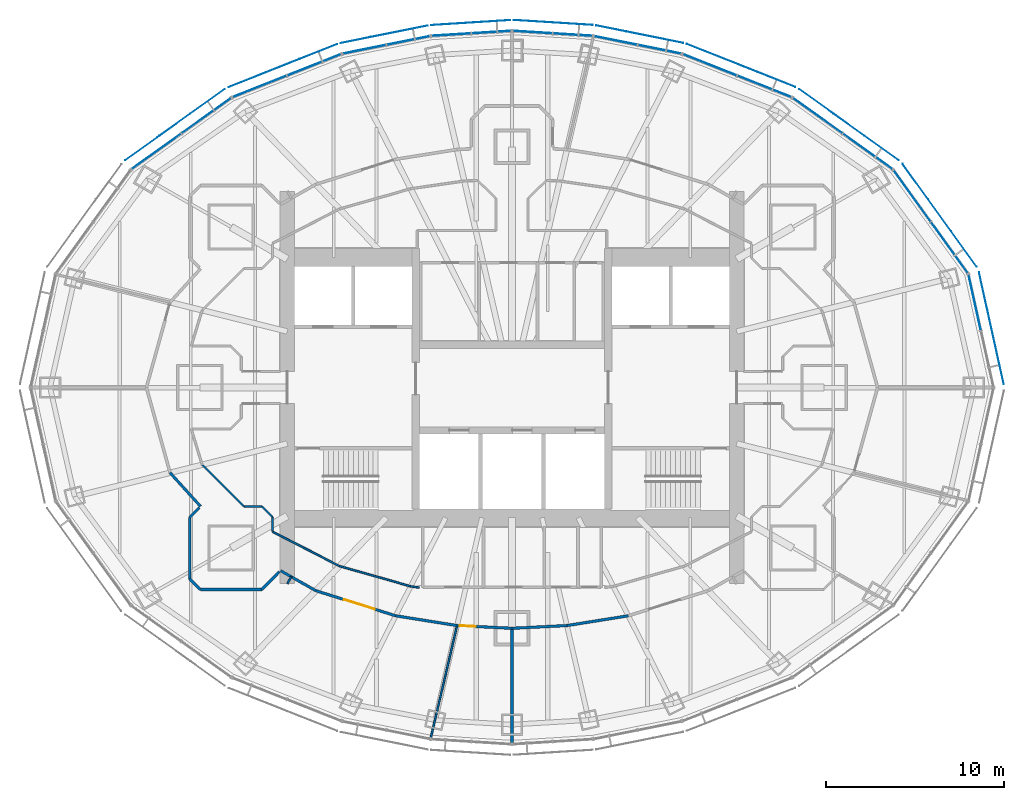
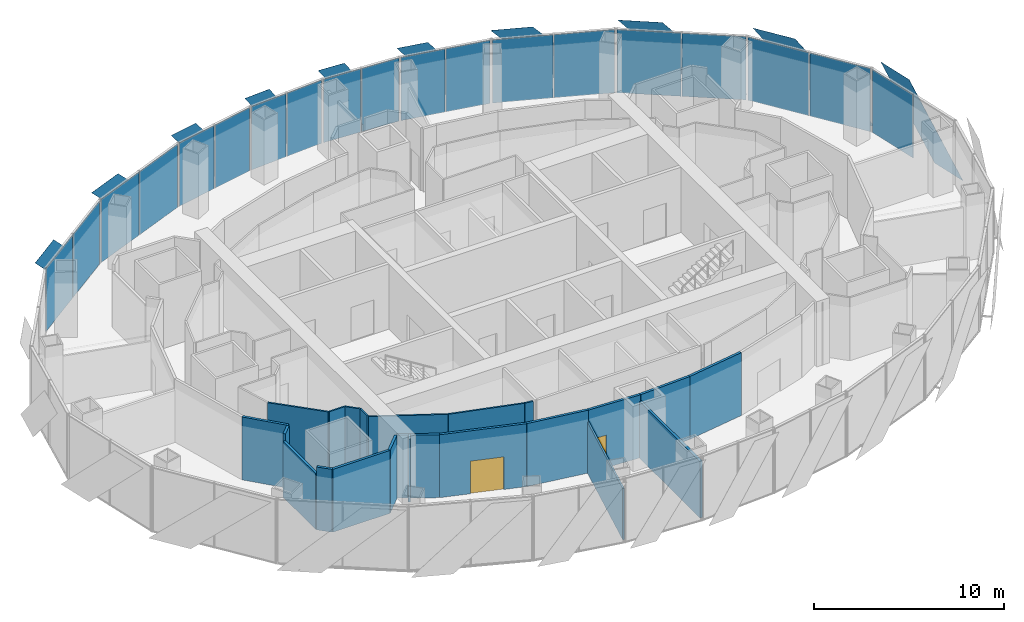
# One storey, part 11 of 18: 29 plates, 22 walls, 2 doors, 2 openings, 10 elements without a shape of their own.
"""IFC4 building model written with IfcOpenShell, lengths in metres."""

from ifc_helpers import new_model, si_unit, direction, frame, frame_2d, origin, origin_2d, place, context, subcontext, project, spatial, polyline, rectangle, outline, extrude, material, layer, layer_set, type_object, element, fill, aggregate, save


model = new_model("IFC4")

# Units and contexts
model_context = context("Model", 3, precision=1e-05, world=origin(), true_north=direction((0.0, 1.0)))
body_context = subcontext(model_context, "Body", "Model", "MODEL_VIEW")
ifc_project = project(units=[si_unit("LENGTHUNIT", "METRE"), si_unit("AREAUNIT", "SQUARE_METRE"), si_unit("VOLUMEUNIT", "CUBIC_METRE"), si_unit("PLANEANGLEUNIT", "RADIAN"), si_unit("MASSUNIT", "GRAM", prefix="KILO")], contexts=[model_context])

# Site, building, storey
site_placement = place(None, origin())
site = spatial("IfcSite", under=ifc_project, at=site_placement, CompositionType="ELEMENT")
building_placement = place(site_placement, origin())
building = spatial("IfcBuilding", under=site, at=building_placement, Name="Lantaw Convention Tower", CompositionType="ELEMENT")
storey_placement = place(building_placement, frame((0.0, 0.0, 257.800048828125)))
storey = spatial("IfcBuildingStorey", under=building, at=storey_placement, Name="L60", CompositionType="ELEMENT", Elevation=257.800048828125)

# Curtain wall, plate
ifc_material_1 = material(Name="Aluminium framed curtain wall", Category="aluminium")
curtain_wall_type = type_object("IfcCurtainWallType", Name="Office curtain wall high rise, pale aluminium", PredefinedType="USERDEFINED", material=ifc_material_1)
curtain_wall_1_placement = place(storey_placement, origin())
curtain_wall_1 = element("IfcCurtainWall", 1, at=curtain_wall_1_placement, inside=storey, type_object=curtain_wall_type, Name="Office curtain wall high rise, pale aluminium L60", ObjectType="UNITISED CURTAIN WALL", PredefinedType="USERDEFINED")
ifc_material_2 = material(Name="Clear insulating glass", Category="glass")
ifc_layer_1 = layer(ifc_material_2, 0.028076171875)
ifc_layer_set_1 = layer_set([ifc_layer_1], Name="CW-O2 panel 28")
plate_type_1 = type_object("IfcPlateType", Name="CW-O2 panel 28", PredefinedType="CURTAIN_PANEL", material=ifc_layer_set_1)
plate_1_placement = place(storey_placement, frame((25.945556640625, 4.769287109375, -0.0849609375), z_axis=(0.0, 0.0, 1.0), x_axis=(-0.215891333626, 0.976417396437, 0.0)))
plate_1 = element("IfcPlate", 2, at=plate_1_placement, type_object=plate_type_1, Name="CW-O2 panel 2.1", PredefinedType="CURTAIN_PANEL", context=body_context, shape_type="SweptSolid", body=[
    extrude(rectangle(XDim=3.169677734375, YDim=0.028076171875, at=origin_2d()), origin(), (0.0, 0.0, 1.0), 4.070068359375),
])
aggregate(curtain_wall_1, [plate_1])

# Curtain wall, plates
curtain_wall_2_placement = place(storey_placement, origin())
curtain_wall_2 = element("IfcCurtainWall", 3, at=curtain_wall_2_placement, inside=storey, type_object=curtain_wall_type, Name="Office curtain wall high rise, pale aluminium L60", ObjectType="UNITISED CURTAIN WALL", PredefinedType="USERDEFINED")
plate_2_placement = place(storey_placement, frame((24.527099609375, 7.852294921875, -0.0849609375), z_axis=(0.0, 0.0, 1.0), x_axis=(-0.585157643865, 0.810919559405, 0.0)))
plate_2 = element("IfcPlate", 4, at=plate_2_placement, type_object=plate_type_1, Name="CW-O2 panel 1.1", PredefinedType="CURTAIN_PANEL", context=body_context, shape_type="SweptSolid", body=[
    extrude(rectangle(XDim=3.500732421875, YDim=0.028076171875, at=origin_2d()), origin(), (0.0, 0.0, 1.0), 4.070068359375),
])
plate_3_placement = place(storey_placement, frame((22.4404296875, 10.743896484375, -0.0849609375), z_axis=(0.0, 0.0, 1.0), x_axis=(-0.585157643865, 0.810919559405, 0.0)))
plate_3 = element("IfcPlate", 5, at=plate_3_placement, type_object=plate_type_1, Name="CW-O2 panel 2.1", PredefinedType="CURTAIN_PANEL", context=body_context, shape_type="SweptSolid", body=[
    extrude(rectangle(XDim=3.500732421875, YDim=0.028076171875, at=origin_2d()), origin(), (0.0, 0.0, 1.0), 4.070068359375),
])
aggregate(curtain_wall_2, [plate_2, plate_3])

curtain_wall_3_placement = place(storey_placement, origin())
curtain_wall_3 = element("IfcCurtainWall", 6, at=curtain_wall_3_placement, inside=storey, type_object=curtain_wall_type, Name="Office curtain wall high rise, pale aluminium L60", ObjectType="UNITISED CURTAIN WALL", PredefinedType="USERDEFINED")
plate_4_placement = place(storey_placement, frame((19.947509765625, 13.23828125, -0.0849609375), z_axis=(0.0, 0.0, 1.0), x_axis=(-0.813672540482, 0.581323487281, 0.0)))
plate_4 = element("IfcPlate", 7, at=plate_4_placement, type_object=plate_type_1, Name="CW-O2 panel 1.1", PredefinedType="CURTAIN_PANEL", context=body_context, shape_type="SweptSolid", body=[
    extrude(rectangle(XDim=3.386474609375, YDim=0.028076171875, at=origin_2d()), origin(), (0.0, 0.0, 1.0), 4.070068359375),
])
plate_5_placement = place(storey_placement, frame((17.13916015625, 15.24462890625, -0.0849609375), z_axis=(0.0, 0.0, 1.0), x_axis=(-0.813672540482, 0.581323487281, 0.0)))
plate_5 = element("IfcPlate", 8, at=plate_5_placement, type_object=plate_type_1, Name="CW-O2 panel 2.1", PredefinedType="CURTAIN_PANEL", context=body_context, shape_type="SweptSolid", body=[
    extrude(rectangle(XDim=3.386474609375, YDim=0.028076171875, at=origin_2d()), origin(), (0.0, 0.0, 1.0), 4.070068359375),
])
aggregate(curtain_wall_3, [plate_4, plate_5])

curtain_wall_4_placement = place(storey_placement, origin())
curtain_wall_4 = element("IfcCurtainWall", 9, at=curtain_wall_4_placement, inside=storey, type_object=curtain_wall_type, Name="Office curtain wall high rise, pale aluminium L60", ObjectType="UNITISED CURTAIN WALL", PredefinedType="USERDEFINED")
plate_6_placement = place(storey_placement, frame((14.14990234375, 16.8837890625, -0.0849609375), z_axis=(0.0, 0.0, 1.0), x_axis=(-0.929761533743, 0.368162315252, 0.0)))
plate_6 = element("IfcPlate", 10, at=plate_6_placement, type_object=plate_type_1, Name="CW-O2 panel 1.1", PredefinedType="CURTAIN_PANEL", context=body_context, shape_type="SweptSolid", body=[
    extrude(rectangle(XDim=3.222900390625, YDim=0.028076171875, at=origin_2d()), origin(), (0.0, 0.0, 1.0), 4.070068359375),
])
plate_7_placement = place(storey_placement, frame((11.0927734375, 18.094482421875, -0.0849609375), z_axis=(0.0, 0.0, 1.0), x_axis=(-0.929761533743, 0.368162315252, 0.0)))
plate_7 = element("IfcPlate", 11, at=plate_7_placement, type_object=plate_type_1, Name="CW-O2 panel 2.1", PredefinedType="CURTAIN_PANEL", context=body_context, shape_type="SweptSolid", body=[
    extrude(rectangle(XDim=3.222900390625, YDim=0.028076171875, at=origin_2d()), origin(), (0.0, 0.0, 1.0), 4.070068359375),
])
aggregate(curtain_wall_4, [plate_6, plate_7])

curtain_wall_5_placement = place(storey_placement, origin())
curtain_wall_5 = element("IfcCurtainWall", 12, at=curtain_wall_5_placement, inside=storey, type_object=curtain_wall_type, Name="Office curtain wall high rise, pale aluminium L60", ObjectType="UNITISED CURTAIN WALL", PredefinedType="USERDEFINED")
plate_8_placement = place(storey_placement, frame((8.2724609375, 18.96533203125, -0.0849609375), z_axis=(0.0, 0.0, 1.0), x_axis=(-0.980366679695, 0.197183095987, 0.0)))
plate_8 = element("IfcPlate", 13, at=plate_8_placement, type_object=plate_type_1, Name="CW-O2 panel 1.1", PredefinedType="CURTAIN_PANEL", context=body_context, shape_type="SweptSolid", body=[
    extrude(rectangle(XDim=2.44384765625, YDim=0.028076171875, at=origin_2d()), origin(), (0.0, 0.0, 1.0), 4.070068359375),
])
plate_9_placement = place(storey_placement, frame((5.81298828125, 19.4599609375, -0.0849609375), z_axis=(0.0, 0.0, 1.0), x_axis=(-0.980366679695, 0.197183095987, 0.0)))
plate_9 = element("IfcPlate", 14, at=plate_9_placement, type_object=plate_type_1, Name="CW-O2 panel 2.1", PredefinedType="CURTAIN_PANEL", context=body_context, shape_type="SweptSolid", body=[
    extrude(rectangle(XDim=2.44384765625, YDim=0.028076171875, at=origin_2d()), origin(), (0.0, 0.0, 1.0), 4.070068359375),
])
aggregate(curtain_wall_5, [plate_8, plate_9])

curtain_wall_6_placement = place(storey_placement, origin())
curtain_wall_6 = element("IfcCurtainWall", 15, at=curtain_wall_6_placement, inside=storey, type_object=curtain_wall_type, Name="Office curtain wall high rise, pale aluminium L60", ObjectType="UNITISED CURTAIN WALL", PredefinedType="USERDEFINED")
plate_10_placement = place(storey_placement, frame((3.397216796875, 19.786376953125, -0.0849609375), z_axis=(0.0, 0.0, 1.0), x_axis=(-0.998028774865, 0.062757983884, 0.0)))
plate_10 = element("IfcPlate", 16, at=plate_10_placement, type_object=plate_type_1, Name="CW-O2 panel 1.1", PredefinedType="CURTAIN_PANEL", context=body_context, shape_type="SweptSolid", body=[
    extrude(rectangle(XDim=2.1826171875, YDim=0.028076171875, at=origin_2d()), origin(), (0.0, 0.0, 1.0), 4.070068359375),
])
plate_11_placement = place(storey_placement, frame((1.154052734375, 19.927490234375, -0.0849609375), z_axis=(0.0, 0.0, 1.0), x_axis=(-0.998028774865, 0.062757983884, 0.0)))
plate_11 = element("IfcPlate", 17, at=plate_11_placement, type_object=plate_type_1, Name="CW-O2 panel 2.1", PredefinedType="CURTAIN_PANEL", context=body_context, shape_type="SweptSolid", body=[
    extrude(rectangle(XDim=2.1826171875, YDim=0.028076171875, at=origin_2d()), origin(), (0.0, 0.0, 1.0), 4.070068359375),
])
aggregate(curtain_wall_6, [plate_10, plate_11])

curtain_wall_7_placement = place(storey_placement, origin())
curtain_wall_7 = element("IfcCurtainWall", 18, at=curtain_wall_7_placement, inside=storey, type_object=curtain_wall_type, Name="Office curtain wall high rise, pale aluminium L60", ObjectType="UNITISED CURTAIN WALL", PredefinedType="USERDEFINED")
plate_12_placement = place(storey_placement, frame((-1.154052734375, 19.927490234375, -0.0849609375), z_axis=(0.0, 0.0, 1.0), x_axis=(-0.998028774865, -0.062757983884, 0.0)))
plate_12 = element("IfcPlate", 19, at=plate_12_placement, type_object=plate_type_1, Name="CW-O2 panel 1.1", PredefinedType="CURTAIN_PANEL", context=body_context, shape_type="SweptSolid", body=[
    extrude(rectangle(XDim=2.1826171875, YDim=0.028076171875, at=origin_2d()), origin(), (0.0, 0.0, 1.0), 4.070068359375),
])
plate_13_placement = place(storey_placement, frame((-3.397216796875, 19.786376953125, -0.0849609375), z_axis=(0.0, 0.0, 1.0), x_axis=(-0.998028774865, -0.062757983884, 0.0)))
plate_13 = element("IfcPlate", 20, at=plate_13_placement, type_object=plate_type_1, Name="CW-O2 panel 2.1", PredefinedType="CURTAIN_PANEL", context=body_context, shape_type="SweptSolid", body=[
    extrude(rectangle(XDim=2.1826171875, YDim=0.028076171875, at=origin_2d()), origin(), (0.0, 0.0, 1.0), 4.070068359375),
])
aggregate(curtain_wall_7, [plate_12, plate_13])

curtain_wall_8_placement = place(storey_placement, origin())
curtain_wall_8 = element("IfcCurtainWall", 21, at=curtain_wall_8_placement, inside=storey, type_object=curtain_wall_type, Name="Office curtain wall high rise, pale aluminium L60", ObjectType="UNITISED CURTAIN WALL", PredefinedType="USERDEFINED")
plate_14_placement = place(storey_placement, frame((-5.81298828125, 19.4599609375, -0.0849609375), z_axis=(0.0, 0.0, 1.0), x_axis=(-0.980366679695, -0.197183095987, 0.0)))
plate_14 = element("IfcPlate", 22, at=plate_14_placement, type_object=plate_type_1, Name="CW-O2 panel 1.1", PredefinedType="CURTAIN_PANEL", context=body_context, shape_type="SweptSolid", body=[
    extrude(rectangle(XDim=2.44384765625, YDim=0.028076171875, at=origin_2d()), origin(), (0.0, 0.0, 1.0), 4.070068359375),
])
plate_15_placement = place(storey_placement, frame((-8.2724609375, 18.96533203125, -0.0849609375), z_axis=(0.0, 0.0, 1.0), x_axis=(-0.980366679695, -0.197183095987, 0.0)))
plate_15 = element("IfcPlate", 23, at=plate_15_placement, type_object=plate_type_1, Name="CW-O2 panel 2.1", PredefinedType="CURTAIN_PANEL", context=body_context, shape_type="SweptSolid", body=[
    extrude(rectangle(XDim=2.44384765625, YDim=0.028076171875, at=origin_2d()), origin(), (0.0, 0.0, 1.0), 4.070068359375),
])
aggregate(curtain_wall_8, [plate_14, plate_15])

curtain_wall_9_placement = place(storey_placement, origin())
curtain_wall_9 = element("IfcCurtainWall", 24, at=curtain_wall_9_placement, inside=storey, type_object=curtain_wall_type, Name="Office curtain wall high rise, pale aluminium L60", ObjectType="UNITISED CURTAIN WALL", PredefinedType="USERDEFINED")
plate_16_placement = place(storey_placement, frame((-11.0927734375, 18.094482421875, -0.0849609375), z_axis=(0.0, 0.0, 1.0), x_axis=(-0.929761533743, -0.368162315252, 0.0)))
plate_16 = element("IfcPlate", 25, at=plate_16_placement, type_object=plate_type_1, Name="CW-O2 panel 1.1", PredefinedType="CURTAIN_PANEL", context=body_context, shape_type="SweptSolid", body=[
    extrude(rectangle(XDim=3.222900390625, YDim=0.028076171875, at=origin_2d()), origin(), (0.0, 0.0, 1.0), 4.070068359375),
])
plate_17_placement = place(storey_placement, frame((-14.14990234375, 16.8837890625, -0.0849609375), z_axis=(0.0, 0.0, 1.0), x_axis=(-0.929761533743, -0.368162315252, 0.0)))
plate_17 = element("IfcPlate", 26, at=plate_17_placement, type_object=plate_type_1, Name="CW-O2 panel 2.1", PredefinedType="CURTAIN_PANEL", context=body_context, shape_type="SweptSolid", body=[
    extrude(rectangle(XDim=3.222900390625, YDim=0.028076171875, at=origin_2d()), origin(), (0.0, 0.0, 1.0), 4.070068359375),
])
aggregate(curtain_wall_9, [plate_16, plate_17])

curtain_wall_10_placement = place(storey_placement, origin())
curtain_wall_10 = element("IfcCurtainWall", 27, at=curtain_wall_10_placement, inside=storey, type_object=curtain_wall_type, Name="Office curtain wall high rise, pale aluminium L60", ObjectType="UNITISED CURTAIN WALL", PredefinedType="USERDEFINED")
plate_18_placement = place(storey_placement, frame((-17.13916015625, 15.24462890625, -0.0849609375), z_axis=(0.0, 0.0, 1.0), x_axis=(-0.813672540482, -0.581323487281, 0.0)))
plate_18 = element("IfcPlate", 28, at=plate_18_placement, type_object=plate_type_1, Name="CW-O2 panel 1.1", PredefinedType="CURTAIN_PANEL", context=body_context, shape_type="SweptSolid", body=[
    extrude(rectangle(XDim=3.386474609375, YDim=0.028076171875, at=origin_2d()), origin(), (0.0, 0.0, 1.0), 4.070068359375),
])
plate_19_placement = place(storey_placement, frame((-19.947509765625, 13.23828125, -0.0849609375), z_axis=(0.0, 0.0, 1.0), x_axis=(-0.813672540482, -0.581323487281, 0.0)))
plate_19 = element("IfcPlate", 29, at=plate_19_placement, type_object=plate_type_1, Name="CW-O2 panel 2.1", PredefinedType="CURTAIN_PANEL", context=body_context, shape_type="SweptSolid", body=[
    extrude(rectangle(XDim=3.386474609375, YDim=0.028076171875, at=origin_2d()), origin(), (0.0, 0.0, 1.0), 4.070068359375),
])
aggregate(curtain_wall_10, [plate_18, plate_19])

# Plates
ifc_material_3 = material(Name="Perforated aluminium sheet, pale silver finish", Category="aluminium")
ifc_layer_2 = layer(ifc_material_3, 0.006103515625)
ifc_layer_set_2 = layer_set([ifc_layer_2], Name="Perforated aluminium solar SCREEN panel")
plate_type_2 = type_object("IfcPlateType", Name="Perforated aluminium solar SCREEN panel", PredefinedType="SHEET", material=ifc_layer_set_2)
plate_20_placement = place(storey_placement, frame((27.580810546875, 0.1796875, -0.175048828125), z_axis=(0.976429511424, 0.215836529031, 4.4219438e-05), x_axis=(-0.215836529242, 0.976429512379, 0.0)))
element("IfcPlate", 30, at=plate_20_placement, inside=storey, type_object=plate_type_2, Name="Solar SCREEN panel", PredefinedType="SHEET", context=body_context, shape_type="SweptSolid", body=[
    extrude(outline(polyline([(0.0, 0.0), (2.2215525295212517, -3.3881317890172014e-21), (6.4341686174090675, 4.340087894868215), (4.212616087887817, 4.340087894868215), (0.0, 0.0)])), origin(), (0.0, 0.0, -1.0), 0.006103515625),
])
plate_21_placement = place(storey_placement, frame((26.051513671875, 6.775390625, -0.175048828125), z_axis=(-0.810892289695, -0.585195432394, 2.0458414e-05), x_axis=(-0.585195432516, 0.810892289865, 0.0)))
element("IfcPlate", 31, at=plate_21_placement, inside=storey, type_object=plate_type_2, Name="Solar SCREEN panel", PredefinedType="SHEET", context=body_context, shape_type="SweptSolid", body=[
    extrude(outline(polyline([(0.0, 0.0), (2.446848840683286, 6.776263578034403e-21), (7.09661046667572, -4.340087891533265), (4.649761625992435, -4.340087891533265), (0.0, 0.0)])), origin(), (0.0, 0.0, -1.0), 0.006103515625),
])
plate_22_placement = place(storey_placement, frame((21.689697265625, 12.73828125, -0.175048828125), z_axis=(0.581330799771, 0.813667316006, 1.0072414e-05), x_axis=(-0.813667316047, 0.5813307998, 3.02e-10)))
element("IfcPlate", 32, at=plate_22_placement, inside=storey, type_object=plate_type_2, Name="Solar SCREEN panel", PredefinedType="SHEET", context=body_context, shape_type="SweptSolid", body=[
    extrude(outline(polyline([(0.0, 0.0), (2.3691416428668504, 0.0), (6.867806096558412, 4.34008788877314), (4.498863102938644, 4.340087890202622), (0.0, 0.0)])), origin(), (0.0, 0.0, -1.0), 0.006103515625),
])
plate_23_placement = place(storey_placement, frame((15.88525390625, 16.8486328125, -0.175048828125), z_axis=(-0.368116612072, -0.929779629081, 3.5533269e-05), x_axis=(-0.929779629668, 0.368116612304, -1.786e-09)))
element("IfcPlate", 33, at=plate_23_placement, inside=storey, type_object=plate_type_2, Name="Solar SCREEN panel", PredefinedType="SHEET", context=body_context, shape_type="SweptSolid", body=[
    extrude(outline(polyline([(0.0, 0.0), (2.2578720663572183, -3.3881317890172014e-21), (6.540904465438181, -4.340087905048178), (4.282942526861161, -4.340087896982072), (0.0, 0.0)])), origin(), (0.0, 0.0, -1.0), 0.006103515625),
])
plate_24_placement = place(storey_placement, frame((9.6044921875, 19.315673828125, -0.175048828125), z_axis=(-0.197162069853, -0.980370908428, 1.0904083e-05), x_axis=(-0.980370908486, 0.197162069865, -7.55e-10)))
element("IfcPlate", 34, at=plate_24_placement, inside=storey, type_object=plate_type_2, Name="Solar SCREEN panel", PredefinedType="SHEET", context=body_context, shape_type="SweptSolid", body=[
    extrude(outline(polyline([(0.0, 0.0), (1.7279870169553606, 8.470329472543003e-22), (4.982578440602753, -4.340087894645749), (3.2545432883764285, -4.340087892035838), (0.0, 0.0)])), origin(), (0.0, 0.0, -1.0), 0.006103515625),
])
plate_25_placement = place(storey_placement, frame((4.539306640625, 20.32177734375, -0.175048828125), z_axis=(-0.062672387577, -0.998034151922, 5.858668e-05), x_axis=(-0.998034153635, 0.062672387685, 0.0)))
element("IfcPlate", 35, at=plate_25_placement, inside=storey, type_object=plate_type_2, Name="Solar SCREEN panel", PredefinedType="SHEET", context=body_context, shape_type="SweptSolid", body=[
    extrude(outline(polyline([(0.0, 0.0), (1.5504111513762302, 8.470329472543003e-22), (4.460200019412434, -4.340087898073457), (2.9097888680362036, -4.340087898073457), (0.0, 0.0)])), origin(), (0.0, 0.0, -1.0), 0.006103515625),
])
plate_26_placement = place(storey_placement, frame((-0.087890625, 20.6015625, -0.175048828125), z_axis=(-0.062672387577, 0.998034151922, 5.858668e-05), x_axis=(-0.998034153635, -0.062672387685, 0.0)))
element("IfcPlate", 36, at=plate_26_placement, inside=storey, type_object=plate_type_2, Name="Solar SCREEN panel", PredefinedType="SHEET", context=body_context, shape_type="SweptSolid", body=[
    extrude(outline(polyline([(0.0, 0.0), (1.5504111513762302, -8.470329472543003e-22), (4.460200019412434, 4.340087898073457), (2.9097888680362036, 4.340087898073457), (0.0, 0.0)])), origin(), (0.0, 0.0, -1.0), 0.006103515625),
])
plate_27_placement = place(storey_placement, frame((-4.7197265625, 20.298095703125, -0.175048828125), z_axis=(-0.197162069853, 0.980370908428, 1.0904083e-05), x_axis=(-0.980370908486, -0.197162069865, 7.55e-10)))
element("IfcPlate", 37, at=plate_27_placement, inside=storey, type_object=plate_type_2, Name="Solar SCREEN panel", PredefinedType="SHEET", context=body_context, shape_type="SweptSolid", body=[
    extrude(outline(polyline([(0.0, 0.0), (1.7280351522263238, 4.235164736271502e-22), (4.982578447157737, 4.34008788712039), (3.2545914302023755, 4.340087889730228), (0.0, 0.0)])), origin(), (0.0, 0.0, -1.0), 0.006103515625),
])
plate_28_placement = place(storey_placement, frame((-9.8037109375, 19.256591796875, -0.175048828125), z_axis=(-0.368116612072, 0.929779629081, 3.5533269e-05), x_axis=(-0.929779629668, -0.368116612304, 1.786e-09)))
element("IfcPlate", 38, at=plate_28_placement, inside=storey, type_object=plate_type_2, Name="Solar SCREEN panel", PredefinedType="SHEET", context=body_context, shape_type="SweptSolid", body=[
    extrude(outline(polyline([(0.0, 0.0), (2.257961938577019, 0.0), (6.540904480942253, 4.34008788168214), (4.283032414585035, 4.340087889747925), (0.0, 0.0)])), origin(), (0.0, 0.0, -1.0), 0.006103515625),
])
plate_29_placement = place(storey_placement, frame((-16.1015625, 16.730712890625, -0.175048828125), z_axis=(0.581330799771, -0.813667316006, 1.0072414e-05), x_axis=(-0.813667316047, -0.5813307998, -3.02e-10)))
element("IfcPlate", 39, at=plate_29_placement, inside=storey, type_object=plate_type_2, Name="Solar SCREEN panel", PredefinedType="SHEET", context=body_context, shape_type="SweptSolid", body=[
    extrude(outline(polyline([(0.0, 0.0), (2.3689429936197683, -1.6940658945086007e-21), (6.867806093939489, -4.340087892917353), (4.498664451072639, -4.340087891487751), (0.0, 0.0)])), origin(), (0.0, 0.0, -1.0), 0.006103515625),
])

# Wall, opening, door
ifc_material_4 = material(Name="Gypsum board on steel studs, fire rated", Category="steel")
ifc_layer_3 = layer(ifc_material_4, 0.14990234375)
ifc_layer_set_3 = layer_set([ifc_layer_3], Name="Corridor wall 150 EI 60")
wall_type_1 = type_object("IfcWallType", Name="Corridor wall 150 EI 60", PredefinedType="PARTITIONING", material=ifc_layer_set_3)
wall_1_placement = place(storey_placement, frame((-11.000732421875, -11.3916015625, 0.0), z_axis=(0.0, 0.0, 1.0), x_axis=(0.954031103669, -0.299707612903, 0.0)))
wall_1 = element("IfcWall", 40, at=wall_1_placement, inside=storey, type_object=wall_type_1, Name="Corridor wall 150", PredefinedType="PARTITIONING", context=body_context, shape_type="SweptSolid", body=[
    extrude(rectangle(XDim=4.6953125, YDim=0.14990234375, at=frame_2d((2.34765625, 0.0))), origin(), (0.0, 0.0, 1.0), 4.050048828125),
])
opening_1_placement = place(wall_1_placement, frame((1.663818359375, 0.0, 0.0)))
opening_1 = element("IfcOpeningElement", 41, at=opening_1_placement, cuts=wall_1, Name="Opening L60.30", PredefinedType="OPENING", context=body_context, shape_type="SweptSolid", body=[
    extrude(rectangle(XDim=1.800048828125, YDim=2.10009765625, at=frame_2d((0.89990234375, 1.050048828125))), frame((0.0, 0.0849609375, 0.0), z_axis=(0.0, -1.0, 0.0), x_axis=(1.0, 0.0, 0.0)), (0.0, 0.0, 1.0), 0.169921875),
])
ifc_material_5 = material(Name="Steel, fire rated", Category="steel")
door_type_1 = type_object("IfcDoorType", Name="Office double door 1800 FD30", OperationType="DOUBLE_DOOR_DOUBLE_SWING", PredefinedType="DOOR", material=ifc_material_5)
door_1_placement = place(opening_1_placement, origin())
door_1 = element("IfcDoor", 42, at=door_1_placement, inside=storey, type_object=door_type_1, Name="Tenant suite door", OperationType="DOUBLE_DOOR_DOUBLE_SWING", OverallHeight=2.10009765625, OverallWidth=1.800048828125, PredefinedType="DOOR", context=body_context, shape_type="SweptSolid", body=[
    extrude(rectangle(XDim=1.800048828125, YDim=2.10009765625, at=frame_2d((0.89990234375, 1.050048828125))), frame((0.0, 0.02490234375, 0.0), z_axis=(0.0, -1.0, 0.0), x_axis=(1.0, 0.0, 0.0)), (0.0, 0.0, 1.0), 0.050048828125),
])
fill(opening_1, door_1)

# Wall
wall_2_placement = place(storey_placement, frame((-6.521240234375, -12.798828125, 0.0), z_axis=(0.0, 0.0, 1.0), x_axis=(0.987554093087, -0.157279729233, 0.0)))
element("IfcWall", 43, at=wall_2_placement, inside=storey, type_object=wall_type_1, Name="Corridor wall 150", PredefinedType="PARTITIONING", context=body_context, shape_type="SweptSolid", body=[
    extrude(rectangle(XDim=3.4833984375, YDim=0.14990234375, at=frame_2d((1.74169921875, 0.0))), origin(), (0.0, 0.0, 1.0), 4.050048828125),
])

# Wall, opening, door
wall_3_placement = place(storey_placement, frame((-3.081298828125, -13.3466796875, 0.0), z_axis=(0.0, 0.0, 1.0), x_axis=(0.99876434787, -0.049696855278, 0.0)))
wall_3 = element("IfcWall", 44, at=wall_3_placement, inside=storey, type_object=wall_type_1, Name="Corridor wall 150", PredefinedType="PARTITIONING", context=body_context, shape_type="SweptSolid", body=[
    extrude(rectangle(XDim=3.085205078125, YDim=0.14990234375, at=frame_2d((1.54248046875, 0.0))), origin(), (0.0, 0.0, 1.0), 4.050048828125),
])
opening_2_placement = place(wall_3_placement, frame((0.14990234375, 0.0, 0.0)))
opening_2 = element("IfcOpeningElement", 45, at=opening_2_placement, cuts=wall_3, Name="Opening L60.31", PredefinedType="OPENING", context=body_context, shape_type="SweptSolid", body=[
    extrude(rectangle(XDim=0.89990234375, YDim=2.10009765625, at=frame_2d((0.449951171875, 1.050048828125))), frame((0.0, 0.0849609375, 0.0), z_axis=(0.0, -1.0, 0.0), x_axis=(1.0, 0.0, 0.0)), (0.0, 0.0, 1.0), 0.169921875),
])
door_type_2 = type_object("IfcDoorType", Name="Office door 900 FD30", OperationType="SINGLE_SWING_LEFT", PredefinedType="DOOR", material=ifc_material_5)
door_2_placement = place(opening_2_placement, origin())
door_2 = element("IfcDoor", 46, at=door_2_placement, inside=storey, type_object=door_type_2, Name="Meeting room door", OperationType="SINGLE_SWING_LEFT", OverallHeight=2.10009765625, OverallWidth=0.89990234375, PredefinedType="DOOR", context=body_context, shape_type="SweptSolid", body=[
    extrude(rectangle(XDim=0.89990234375, YDim=2.10009765625, at=frame_2d((0.449951171875, 1.050048828125))), frame((0.0, 0.02490234375, 0.0), z_axis=(0.0, -1.0, 0.0), x_axis=(1.0, 0.0, 0.0)), (0.0, 0.0, 1.0), 0.050048828125),
])
fill(opening_2, door_2)

# Walls
wall_4_placement = place(storey_placement, frame((0.0, -13.5, 0.0), z_axis=(0.0, 0.0, 1.0), x_axis=(0.99876434787, 0.049696855278, 0.0)))
element("IfcWall", 47, at=wall_4_placement, inside=storey, type_object=wall_type_1, Name="Corridor wall 150", PredefinedType="PARTITIONING", context=body_context, shape_type="SweptSolid", body=[
    extrude(rectangle(XDim=3.085205078125, YDim=0.14990234375, at=frame_2d((1.54248046875, 0.0))), origin(), (0.0, 0.0, 1.0), 4.050048828125),
])
wall_5_placement = place(storey_placement, frame((3.081298828125, -13.3466796875, 0.0), z_axis=(0.0, 0.0, 1.0), x_axis=(0.987554093087, 0.157279729233, 0.0)))
element("IfcWall", 48, at=wall_5_placement, inside=storey, type_object=wall_type_1, Name="Corridor wall 150", PredefinedType="PARTITIONING", context=body_context, shape_type="SweptSolid", body=[
    extrude(rectangle(XDim=3.4833984375, YDim=0.14990234375, at=frame_2d((1.74169921875, 0.0))), origin(), (0.0, 0.0, 1.0), 4.050048828125),
])
wall_6_placement = place(storey_placement, frame((-19.171875, -4.780029296875, 0.0), z_axis=(0.0, 0.0, 1.0), x_axis=(0.671721890643, -0.74080341632, 0.0)))
element("IfcWall", 49, at=wall_6_placement, inside=storey, type_object=wall_type_1, Name="Corridor wall 150", PredefinedType="PARTITIONING", context=body_context, shape_type="SweptSolid", body=[
    extrude(rectangle(XDim=2.54443359375, YDim=0.14990234375, at=frame_2d((1.272216796875, 0.0))), origin(), (0.0, 0.0, 1.0), 4.050048828125),
])
wall_7_placement = place(storey_placement, frame((-12.974609375, -10.271484375, 0.0), z_axis=(0.0, 0.0, 1.0), x_axis=(0.869722107117, -0.493541747366, 0.0)))
element("IfcWall", 50, at=wall_7_placement, inside=storey, type_object=wall_type_1, Name="Corridor wall 150", PredefinedType="PARTITIONING", context=body_context, shape_type="SweptSolid", body=[
    extrude(rectangle(XDim=2.26953125, YDim=0.14990234375, at=frame_2d((1.134765625, 0.0))), origin(), (0.0, 0.0, 1.0), 4.050048828125),
])
wall_8_placement = place(storey_placement, frame((-13.035888671875, -10.318603515625, 0.0), z_axis=(0.0, 0.0, 1.0), x_axis=(-0.701113567316, -0.713049623606, 0.0)))
element("IfcWall", 51, at=wall_8_placement, inside=storey, type_object=wall_type_1, Name="Corridor wall 150", PredefinedType="PARTITIONING", context=body_context, shape_type="SweptSolid", body=[
    extrude(rectangle(XDim=1.411376953125, YDim=0.14990234375, at=frame_2d((0.70556640625, 0.0))), origin(), (0.0, 0.0, 1.0), 4.050048828125),
])
wall_9_placement = place(storey_placement, frame((-14.025390625, -11.324951171875, 0.0), z_axis=(0.0, 0.0, 1.0), x_axis=(-1.0, 0.0, 0.0)))
element("IfcWall", 52, at=wall_9_placement, inside=storey, type_object=wall_type_1, Name="Corridor wall 150", PredefinedType="PARTITIONING", context=body_context, shape_type="SweptSolid", body=[
    extrude(rectangle(XDim=3.44921875, YDim=0.14990234375, at=frame_2d((1.724609375, 0.0))), origin(), (0.0, 0.0, 1.0), 4.050048828125),
])
wall_10_placement = place(storey_placement, frame((-17.474609375, -11.324951171875, 0.0), z_axis=(0.0, 0.0, 1.0), x_axis=(-0.707106781187, 0.707106781187, 0.0)))
element("IfcWall", 53, at=wall_10_placement, inside=storey, type_object=wall_type_1, Name="Corridor wall 150", PredefinedType="PARTITIONING", context=body_context, shape_type="SweptSolid", body=[
    extrude(rectangle(XDim=0.84912109375, YDim=0.14990234375, at=frame_2d((0.424560546875, 0.0))), origin(), (0.0, 0.0, 1.0), 4.050048828125),
])
wall_11_placement = place(storey_placement, frame((-18.074951171875, -10.724609375, 0.0), z_axis=(0.0, 0.0, 1.0), x_axis=(0.0, 1.0, 0.0)))
element("IfcWall", 54, at=wall_11_placement, inside=storey, type_object=wall_type_1, Name="Corridor wall 150", PredefinedType="PARTITIONING", context=body_context, shape_type="SweptSolid", body=[
    extrude(rectangle(XDim=3.44921875, YDim=0.14990234375, at=frame_2d((1.724609375, 0.0))), origin(), (0.0, 0.0, 1.0), 3.600341796875),
])
wall_12_placement = place(storey_placement, frame((-18.074951171875, -7.275390625, 0.0), z_axis=(0.0, 0.0, 1.0), x_axis=(0.707106781187, 0.707106781187, 0.0)))
element("IfcWall", 55, at=wall_12_placement, inside=storey, type_object=wall_type_1, Name="Corridor wall 150", PredefinedType="PARTITIONING", context=body_context, shape_type="SweptSolid", body=[
    extrude(rectangle(XDim=0.759521484375, YDim=0.14990234375, at=frame_2d((0.3798828125, 0.0))), origin(), (0.0, 0.0, 1.0), 4.050048828125),
])
ifc_material_6 = material(Name="Gypsum board on steel studs, acoustic", Category="steel")
ifc_layer_4 = layer(ifc_material_6, 0.10009765625)
ifc_layer_set_4 = layer_set([ifc_layer_4], Name="Office partition 100")
wall_type_2 = type_object("IfcWallType", Name="Office partition 100", PredefinedType="PARTITIONING", material=ifc_layer_set_4)
wall_13_placement = place(storey_placement, frame((-4.5556640625, -19.65673828125, 0.0), z_axis=(0.0, 0.0, 1.0), x_axis=(0.227524978141, 0.973772244584, 0.0)))
element("IfcWall", 56, at=wall_13_placement, inside=storey, type_object=wall_type_2, Name="Office partition 100", PredefinedType="PARTITIONING", context=body_context, shape_type="SweptSolid", body=[
    extrude(rectangle(XDim=6.47998046875, YDim=0.10009765625, at=frame_2d((3.239990234375, 0.0))), origin(), (0.0, 0.0, 1.0), 3.29296875),
])
wall_14_placement = place(storey_placement, frame((-5.199951171875, -11.21630859375, 0.0), z_axis=(0.0, 0.0, 1.0), x_axis=(-0.989797891768, 0.142478536811, 0.0)))
element("IfcWall", 57, at=wall_14_placement, inside=storey, type_object=wall_type_2, Name="Office partition 100", PredefinedType="PARTITIONING", context=body_context, shape_type="SweptSolid", body=[
    extrude(rectangle(XDim=0.48486328125, YDim=0.10009765625, at=frame_2d((0.242431640625, 0.0))), origin(), (0.0, 0.0, 1.0), 4.050048828125),
])
wall_15_placement = place(storey_placement, frame((-5.679931640625, -11.147216796875, 0.0), z_axis=(0.0, 0.0, 1.0), x_axis=(-0.961973498971, 0.273142796496, 0.0)))
element("IfcWall", 58, at=wall_15_placement, inside=storey, type_object=wall_type_2, Name="Office partition 100", PredefinedType="PARTITIONING", context=body_context, shape_type="SweptSolid", body=[
    extrude(rectangle(XDim=4.148193359375, YDim=0.10009765625, at=frame_2d((2.07421875, 0.0))), origin(), (0.0, 0.0, 1.0), 4.050048828125),
])
wall_16_placement = place(storey_placement, frame((-12.60009765625, -11.0, 0.0), z_axis=(0.0, 0.0, 1.0), x_axis=(0.493794495037, 0.869578631678, 0.0)))
element("IfcWall", 59, at=wall_16_placement, inside=storey, type_object=wall_type_2, Name="Office partition 100", PredefinedType="PARTITIONING", context=body_context, shape_type="SweptSolid", body=[
    extrude(rectangle(XDim=0.448974609375, YDim=0.10009765625, at=frame_2d((0.224609375, 0.0))), origin(), (0.0, 0.0, 1.0), 4.050048828125),
])
wall_17_placement = place(storey_placement, frame((-9.67041015625, -10.01416015625, 0.0), z_axis=(0.0, 0.0, 1.0), x_axis=(-0.889620520549, 0.45670048108, 0.0)))
element("IfcWall", 60, at=wall_17_placement, inside=storey, type_object=wall_type_2, Name="Office partition 100", PredefinedType="PARTITIONING", context=body_context, shape_type="SweptSolid", body=[
    extrude(rectangle(XDim=4.209228515625, YDim=0.10009765625, at=frame_2d((2.1044921875, 0.0))), origin(), (0.0, 0.0, 1.0), 4.050048828125),
])
wall_18_placement = place(storey_placement, frame((-15.03466796875, -6.6650390625, 0.0), z_axis=(0.0, 0.0, 1.0), x_axis=(-0.707587114823, 0.70662612104, 0.0)))
element("IfcWall", 61, at=wall_18_placement, inside=storey, type_object=wall_type_2, Name="Office partition 100", PredefinedType="PARTITIONING", context=body_context, shape_type="SweptSolid", body=[
    extrude(rectangle(XDim=3.302734375, YDim=0.10009765625, at=frame_2d((1.6513671875, 0.0))), origin(), (0.0, 0.0, 1.0), 4.050048828125),
])
wall_19_placement = place(storey_placement, frame((-15.002197265625, -6.675048828125, 0.0), z_axis=(0.0, 0.0, 1.0), x_axis=(1.0, 0.0, 0.0)))
element("IfcWall", 62, at=wall_19_placement, inside=storey, type_object=wall_type_2, Name="Office partition 100", PredefinedType="PARTITIONING", context=body_context, shape_type="SweptSolid", body=[
    extrude(rectangle(XDim=0.976806640625, YDim=0.10009765625, at=frame_2d((0.48828125, 0.0))), origin(), (0.0, 0.0, 1.0), 4.050048828125),
])
wall_20_placement = place(storey_placement, frame((-14.025390625, -6.675048828125, 0.0), z_axis=(0.0, 0.0, 1.0), x_axis=(0.707106781187, -0.707106781187, 0.0)))
element("IfcWall", 63, at=wall_20_placement, inside=storey, type_object=wall_type_2, Name="Office partition 100", PredefinedType="PARTITIONING", context=body_context, shape_type="SweptSolid", body=[
    extrude(rectangle(XDim=0.84912109375, YDim=0.10009765625, at=frame_2d((0.424560546875, 0.0))), origin(), (0.0, 0.0, 1.0), 4.050048828125),
])
wall_21_placement = place(storey_placement, frame((-13.425048828125, -7.275390625, 0.0), z_axis=(0.0, 0.0, 1.0), x_axis=(0.0, -1.0, 0.0)))
element("IfcWall", 64, at=wall_21_placement, inside=storey, type_object=wall_type_2, Name="Office partition 100", PredefinedType="PARTITIONING", context=body_context, shape_type="SweptSolid", body=[
    extrude(rectangle(XDim=0.770263671875, YDim=0.10009765625, at=frame_2d((0.38525390625, 0.0))), origin(), (0.0, 0.0, 1.0), 4.050048828125),
])
ifc_layer_5 = layer(ifc_material_4, 0.14990234375)
ifc_layer_set_5 = layer_set([ifc_layer_5], Name="Tenant separation wall 150 EI 60")
wall_type_3 = type_object("IfcWallType", Name="Tenant separation wall 150 EI 60", PredefinedType="PARTITIONING", material=ifc_layer_set_5)
wall_22_placement = place(storey_placement, frame((0.0, -19.94482421875, 0.0), z_axis=(0.0, 0.0, 1.0), x_axis=(0.0, 1.0, 0.0)))
element("IfcWall", 65, at=wall_22_placement, inside=storey, type_object=wall_type_3, Name="Tenant separation wall 150", PredefinedType="PARTITIONING", context=body_context, shape_type="SweptSolid", body=[
    extrude(rectangle(XDim=6.44482421875, YDim=0.14990234375, at=frame_2d((3.222412109375, 0.0))), origin(), (0.0, 0.0, 1.0), 3.64599609375),
])

save(model, "model.ifc")
